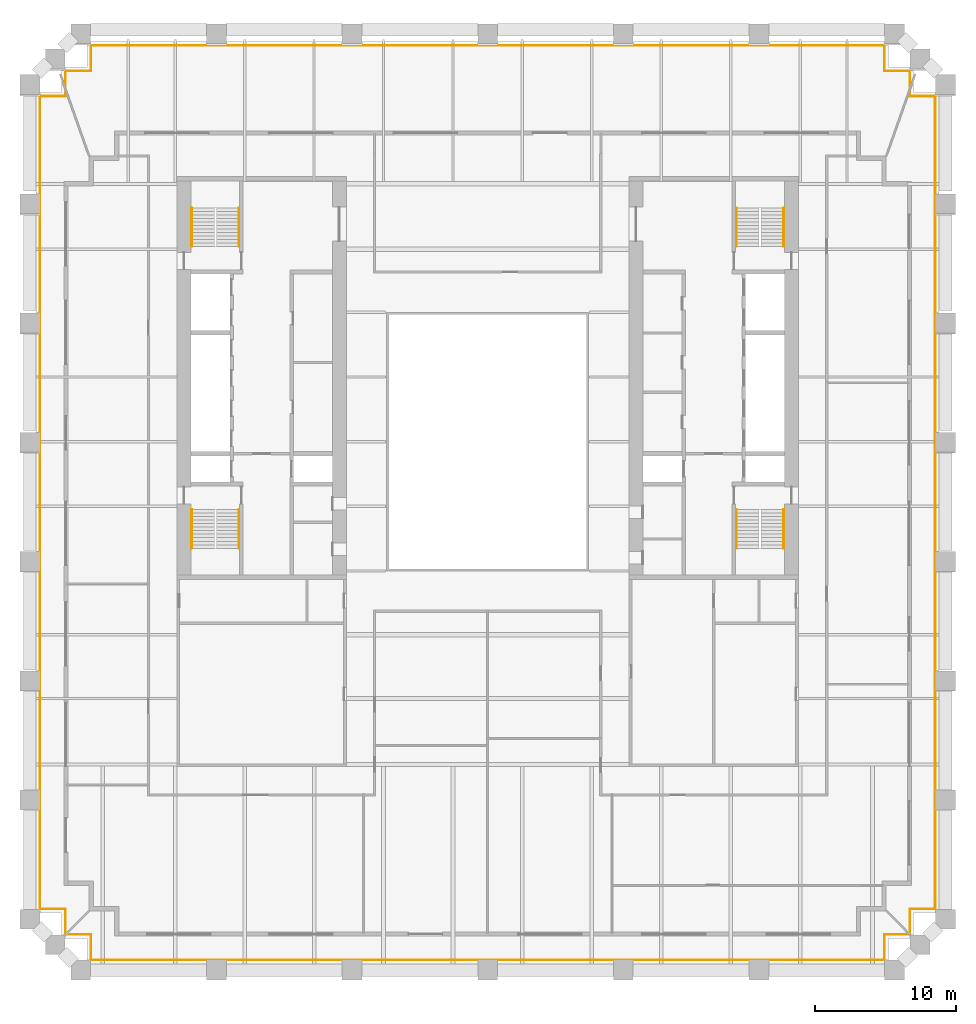
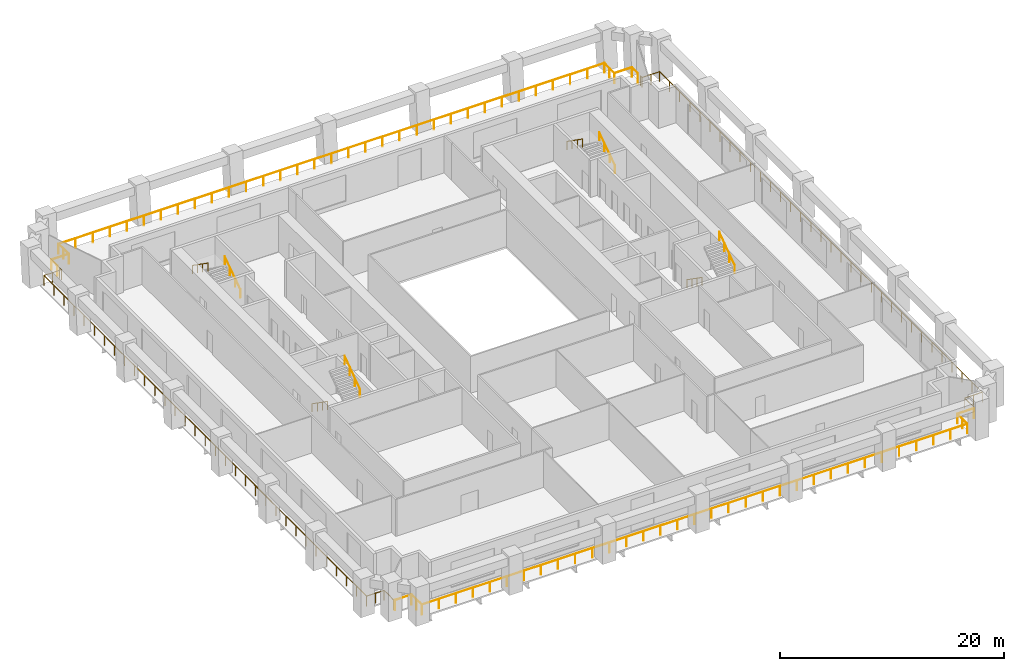
# One storey, part 8 of 8: 12 railings.
"""IFC4 building model written with IfcOpenShell, lengths in metres."""

import ifcopenshell
import ifcopenshell.guid

model = None  # the IFC model being written
_history = None  # IfcOwnerHistory: only IFC2X3 demands one
_inside = {}  # id of a spatial element -> (the spatial element, [elements in it])
_under = {}  # id of a project, library or spatial element -> (it, [spatial elements below it])
_declared = {}  # id of a project -> (the project, [libraries it declares])
_typed = {}  # id of a type object -> (the type object, [elements of that type])
_made_of = {}  # id of a material, layer set ... -> (it, [elements and type objects made of it])


def new_model(schema):
    """Start an empty IFC model of exactly this schema.

    Asked for "IFC4X3", IfcOpenShell would pick the latest addendum, in which some entities
    have other attributes; the version numbers below select the first issue.
    IFC2X3 requires an IfcOwnerHistory on every rooted entity: one is made here for all.
    """
    global model, _history
    if schema == "IFC4X3":
        model = ifcopenshell.file(schema_version=(4, 3, 0, 0))
    else:
        model = ifcopenshell.file(schema=schema)
    _inside.clear()
    _under.clear()
    _declared.clear()
    _typed.clear()
    _made_of.clear()
    _history = None
    if model.schema == "IFC2X3":
        org = make("IfcOrganization", Name="unknown")
        user = make(
            "IfcPersonAndOrganization",
            ThePerson=make("IfcPerson", FamilyName="unknown"),
            TheOrganization=org,
        )
        app = make(
            "IfcApplication",
            ApplicationDeveloper=org,
            Version="unknown",
            ApplicationFullName="unknown",
            ApplicationIdentifier="unknown",
        )
        _history = make(
            "IfcOwnerHistory",
            OwningUser=user,
            OwningApplication=app,
            ChangeAction="ADDED",
            CreationDate=0,
        )
    return model


def make(cls, **values):
    """One entity of the class cls with the attributes given. An attribute that is None is left unset."""
    return model.create_entity(
        cls, **{name: value for name, value in values.items() if value is not None}
    )


def rooted(cls, **values):
    """An entity with a GlobalId (a new one), such as an element, a storey or a relation."""
    return make(cls, GlobalId=ifcopenshell.guid.new(), OwnerHistory=_history, **values)


def si_unit(unit_type, name, prefix=None):
    """IfcSIUnit, for example si_unit("LENGTHUNIT", "METRE", prefix="MILLI")."""
    return make("IfcSIUnit", UnitType=unit_type, Prefix=prefix, Name=name)


def assignment(units):
    """IfcUnitAssignment: the units of a project."""
    return None if units is None else make("IfcUnitAssignment", Units=units)


def point(xyz):
    """IfcCartesianPoint."""
    return None if xyz is None else make("IfcCartesianPoint", Coordinates=xyz)


def direction(xyz):
    """IfcDirection."""
    return None if xyz is None else make("IfcDirection", DirectionRatios=xyz)


def frame(location, z_axis=None, x_axis=None):
    """IfcAxis2Placement3D, a coordinate frame: its origin and axes. An axis left out is left unset."""
    return make(
        "IfcAxis2Placement3D",
        Location=point(location),
        Axis=direction(z_axis),
        RefDirection=direction(x_axis),
    )


def frame_2d(location, x_axis=None):
    """IfcAxis2Placement2D, a coordinate frame in the plane: its origin and x axis."""
    return make(
        "IfcAxis2Placement2D", Location=point(location), RefDirection=direction(x_axis)
    )


def origin():
    """The frame at (0, 0, 0) with its axes left unset."""
    return frame((0.0, 0.0, 0.0))


def origin_2d():
    """The frame at (0, 0) in the plane with its x axis left unset."""
    return frame_2d((0.0, 0.0))


def place(relative_to, where):
    """IfcLocalPlacement: puts the frame where relative to a parent placement (None: the world)."""
    return make(
        "IfcLocalPlacement", PlacementRelTo=relative_to, RelativePlacement=where
    )


def context(
    kind, dimensions, precision=None, world=None, true_north=None, identifier=None
):
    """IfcGeometricRepresentationContext, for example the 3D "Model" context."""
    return make(
        "IfcGeometricRepresentationContext",
        ContextIdentifier=identifier,
        ContextType=kind,
        CoordinateSpaceDimension=dimensions,
        Precision=precision,
        WorldCoordinateSystem=world,
        TrueNorth=true_north,
    )


def subcontext(parent, identifier, kind, view, scale=None):
    """IfcGeometricRepresentationSubContext, for example "Body" below "Model"."""
    return make(
        "IfcGeometricRepresentationSubContext",
        ContextIdentifier=identifier,
        ContextType=kind,
        ParentContext=parent,
        TargetScale=scale,
        TargetView=view,
    )


def project(units=None, contexts=None):
    """IfcProject with its units and contexts."""
    return rooted(
        "IfcProject",
        Name="project",
        RepresentationContexts=contexts,
        UnitsInContext=assignment(units),
    )


def spatial(cls, under=None, at=None, **own):
    """A site, building, storey or space (cls), placed at a placement, below another one or the project."""
    s = rooted(cls, ObjectPlacement=at, **own)
    if under is not None:
        _under.setdefault(under.id(), (under, []))[1].append(s)
    return s


def profile(cls, at=None, kind="AREA", **sizes):
    """A parametric profile (cls). Its sizes go by their IFC names, for example OverallWidth=200.0."""
    return make(cls, ProfileType=kind, Position=at, **sizes)


def circle(**sizes):
    """IfcCircleProfileDef."""
    return profile("IfcCircleProfileDef", **sizes)


def extrude(swept, where, along, depth):
    """IfcExtrudedAreaSolid: the profile swept, set in the frame where, extruded along a direction by depth."""
    return make(
        "IfcExtrudedAreaSolid",
        SweptArea=swept,
        Position=where,
        ExtrudedDirection=direction(along),
        Depth=depth,
    )


def shape(context_of_items, identifier, shape_type, items):
    """IfcShapeRepresentation: the items that make up one representation, for example the "Body"."""
    return make(
        "IfcShapeRepresentation",
        ContextOfItems=context_of_items,
        RepresentationIdentifier=identifier,
        RepresentationType=shape_type,
        Items=items,
    )


def material(Name=None, Category=None):
    """IfcMaterial."""
    return make("IfcMaterial", Name=Name, Category=Category)


def made_of(thing, what):
    """Note that an element or type object is made of a material, layer set ...; save() writes the relation."""
    if what is not None:
        _made_of.setdefault(what.id(), (what, []))[1].append(thing)
    return thing


def type_object(cls, material=None, **own):
    """A type object (cls), such as IfcWallType, which elements share."""
    return made_of(rooted(cls, **own), material)


def element(
    cls,
    number,
    at=None,
    inside=None,
    cuts=None,
    type_object=None,
    material=None,
    context=None,
    identifier="Body",
    shape_type=None,
    held_by="IfcProductDefinitionShape",
    body=None,
    shapes=None,
    **own,
):
    """One element of the class cls, such as IfcWall. Its Tag is "e" and its number.

    at: its placement. inside: the storey or other place that contains it. cuts: it is an
    opening in that element (IfcRelVoidsElement). A single representation is given by context,
    identifier, shape_type and body (its items); several are given by shapes. held_by: the class
    of the entity that holds the representations. save() writes the other relations.
    """
    e = rooted(cls, Tag="e%d" % number, ObjectPlacement=at, **own)
    if body is not None:
        shapes = [shape(context, identifier, shape_type, body)]
    if shapes is not None:
        e.Representation = make(held_by, Representations=shapes)
    if inside is not None:
        _inside.setdefault(inside.id(), (inside, []))[1].append(e)
    if cuts is not None:
        rooted(
            "IfcRelVoidsElement", RelatingBuildingElement=cuts, RelatedOpeningElement=e
        )
    if type_object is not None:
        _typed.setdefault(type_object.id(), (type_object, []))[1].append(e)
    return made_of(e, material)


def aggregate(whole, parts):
    """IfcRelAggregates: a whole, such as a stair, and the parts it consists of."""
    return rooted("IfcRelAggregates", RelatingObject=whole, RelatedObjects=parts)


def save(model, path):
    """Write the relations noted so far, then the file.

    IfcRelAggregates (storeys below a building ...), IfcRelContainedInSpatialStructure (elements
    in a storey), IfcRelDefinesByType, IfcRelAssociatesMaterial and IfcRelDeclares: one each for
    every whole, place, type object, material and project.
    """
    for whole, parts in _under.values():
        aggregate(whole, parts)
    for where, things in _inside.values():
        rooted(
            "IfcRelContainedInSpatialStructure",
            RelatedElements=things,
            RelatingStructure=where,
        )
    for kind, things in _typed.values():
        rooted("IfcRelDefinesByType", RelatedObjects=things, RelatingType=kind)
    for what, things in _made_of.values():
        rooted("IfcRelAssociatesMaterial", RelatedObjects=things, RelatingMaterial=what)
    for by, libraries in _declared.values():
        rooted("IfcRelDeclares", RelatingContext=by, RelatedDefinitions=libraries)
    model.write(path)


model = new_model("IFC4")

# Units and contexts
model_context = context("Model", 3, precision=1e-05, world=origin(), true_north=direction((0.0, 1.0)))
body_context = subcontext(model_context, "Body", "Model", "MODEL_VIEW")
ifc_project = project(units=[si_unit("LENGTHUNIT", "METRE"), si_unit("AREAUNIT", "SQUARE_METRE"), si_unit("VOLUMEUNIT", "CUBIC_METRE"), si_unit("PLANEANGLEUNIT", "RADIAN"), si_unit("MASSUNIT", "GRAM", prefix="KILO")], contexts=[model_context])

# Site, building, storey
site_placement = place(None, origin())
site = spatial("IfcSite", under=ifc_project, at=site_placement, CompositionType="ELEMENT")
building_placement = place(site_placement, origin())
building = spatial("IfcBuilding", under=site, at=building_placement, Name="Ogive Exchange Tower", CompositionType="ELEMENT")
storey_placement = place(building_placement, frame((0.0, 0.0, 81.60009765625)))
storey = spatial("IfcBuildingStorey", under=building, at=storey_placement, Name="L17", CompositionType="ELEMENT", Elevation=81.60009765625)

# Railings
ifc_material_1 = material(Name="Stainless steel 316", Category="steel")
railing_type_1 = type_object("IfcRailingType", Name="Guard 1100 stainless steel and glass", PredefinedType="GUARDRAIL", material=ifc_material_1)
railing_1_placement = place(storey_placement, frame((29.7880859375, -27.8798828125, -0.050048828125)))
element("IfcRailing", 1, at=railing_1_placement, inside=storey, type_object=railing_type_1, Name="Loggia guard 1", PredefinedType="GUARDRAIL", context=body_context, shape_type="SweptSolid", body=[
    extrude(circle(Radius=0.02392578125, at=origin_2d()), frame((0.0, 0.0, 1.076171875), z_axis=(-1.0, 0.0, 0.0), x_axis=(0.0, -1.0, 0.0)), (0.0, 0.0, 1.0), 1.7080078125),
    extrude(circle(Radius=0.02392578125, at=origin_2d()), frame((-1.7080078125, 0.0, 1.076171875), z_axis=(0.0, -1.0, 0.0), x_axis=(1.0, 0.0, 0.0)), (0.0, 0.0, 1.0), 1.800048828125),
    extrude(circle(Radius=0.02392578125, at=origin_2d()), frame((-1.7080078125, -1.800048828125, 1.076171875), z_axis=(-1.0, 0.0, 0.0), x_axis=(0.0, -1.0, 0.0)), (0.0, 0.0, 1.0), 56.16015625),
    extrude(circle(Radius=0.02392578125, at=origin_2d()), frame((-57.8681640625, -1.800048828125, 1.076171875), z_axis=(0.0, 1.0, 0.0), x_axis=(-1.0, 0.0, 0.0)), (0.0, 0.0, 1.0), 1.800048828125),
    extrude(circle(Radius=0.02392578125, at=origin_2d()), frame((-57.8681640625, 0.0, 1.076171875), z_axis=(-1.0, 0.0, 0.0), x_axis=(0.0, -1.0, 0.0)), (0.0, 0.0, 1.0), 1.7080078125),
    extrude(circle(Radius=0.02099609375, at=origin_2d()), origin(), (0.0, 0.0, 1.0), 1.052001953125),
    extrude(circle(Radius=0.02099609375, at=origin_2d()), frame((-1.7080078125, 0.0, 0.0)), (0.0, 0.0, 1.0), 1.052001953125),
    extrude(circle(Radius=0.02099609375, at=origin_2d()), frame((-1.7080078125, -0.89990234375, 0.0)), (0.0, 0.0, 1.0), 1.052001953125),
    extrude(circle(Radius=0.02099609375, at=origin_2d()), frame((-1.7080078125, -1.800048828125, 0.0)), (0.0, 0.0, 1.0), 1.052001953125),
    extrude(circle(Radius=0.02099609375, at=origin_2d()), frame((-3.462890625, -1.800048828125, 0.0)), (0.0, 0.0, 1.0), 1.052001953125),
    extrude(circle(Radius=0.02099609375, at=origin_2d()), frame((-5.218017578125, -1.800048828125, 0.0)), (0.0, 0.0, 1.0), 1.052001953125),
    extrude(circle(Radius=0.02099609375, at=origin_2d()), frame((-6.97314453125, -1.800048828125, 0.0)), (0.0, 0.0, 1.0), 1.052001953125),
    extrude(circle(Radius=0.02099609375, at=origin_2d()), frame((-8.72802734375, -1.800048828125, 0.0)), (0.0, 0.0, 1.0), 1.052001953125),
    extrude(circle(Radius=0.02099609375, at=origin_2d()), frame((-10.48291015625, -1.800048828125, 0.0)), (0.0, 0.0, 1.0), 1.052001953125),
    extrude(circle(Radius=0.02099609375, at=origin_2d()), frame((-12.238037109375, -1.800048828125, 0.0)), (0.0, 0.0, 1.0), 1.052001953125),
    extrude(circle(Radius=0.02099609375, at=origin_2d()), frame((-13.9931640625, -1.800048828125, 0.0)), (0.0, 0.0, 1.0), 1.052001953125),
    extrude(circle(Radius=0.02099609375, at=origin_2d()), frame((-15.748046875, -1.800048828125, 0.0)), (0.0, 0.0, 1.0), 1.052001953125),
    extrude(circle(Radius=0.02099609375, at=origin_2d()), frame((-17.5029296875, -1.800048828125, 0.0)), (0.0, 0.0, 1.0), 1.052001953125),
    extrude(circle(Radius=0.02099609375, at=origin_2d()), frame((-19.258056640625, -1.800048828125, 0.0)), (0.0, 0.0, 1.0), 1.052001953125),
    extrude(circle(Radius=0.02099609375, at=origin_2d()), frame((-21.01318359375, -1.800048828125, 0.0)), (0.0, 0.0, 1.0), 1.052001953125),
    extrude(circle(Radius=0.02099609375, at=origin_2d()), frame((-22.76806640625, -1.800048828125, 0.0)), (0.0, 0.0, 1.0), 1.052001953125),
    extrude(circle(Radius=0.02099609375, at=origin_2d()), frame((-24.52294921875, -1.800048828125, 0.0)), (0.0, 0.0, 1.0), 1.052001953125),
    extrude(circle(Radius=0.02099609375, at=origin_2d()), frame((-26.278076171875, -1.800048828125, 0.0)), (0.0, 0.0, 1.0), 1.052001953125),
    extrude(circle(Radius=0.02099609375, at=origin_2d()), frame((-28.033203125, -1.800048828125, 0.0)), (0.0, 0.0, 1.0), 1.052001953125),
    extrude(circle(Radius=0.02099609375, at=origin_2d()), frame((-29.7880859375, -1.800048828125, 0.0)), (0.0, 0.0, 1.0), 1.052001953125),
    extrude(circle(Radius=0.02099609375, at=origin_2d()), frame((-31.54296875, -1.800048828125, 0.0)), (0.0, 0.0, 1.0), 1.052001953125),
    extrude(circle(Radius=0.02099609375, at=origin_2d()), frame((-33.298095703125, -1.800048828125, 0.0)), (0.0, 0.0, 1.0), 1.052001953125),
    extrude(circle(Radius=0.02099609375, at=origin_2d()), frame((-35.05322265625, -1.800048828125, 0.0)), (0.0, 0.0, 1.0), 1.052001953125),
    extrude(circle(Radius=0.02099609375, at=origin_2d()), frame((-36.80810546875, -1.800048828125, 0.0)), (0.0, 0.0, 1.0), 1.052001953125),
    extrude(circle(Radius=0.02099609375, at=origin_2d()), frame((-38.56298828125, -1.800048828125, 0.0)), (0.0, 0.0, 1.0), 1.052001953125),
    extrude(circle(Radius=0.02099609375, at=origin_2d()), frame((-40.318115234375, -1.800048828125, 0.0)), (0.0, 0.0, 1.0), 1.052001953125),
    extrude(circle(Radius=0.02099609375, at=origin_2d()), frame((-42.0732421875, -1.800048828125, 0.0)), (0.0, 0.0, 1.0), 1.052001953125),
    extrude(circle(Radius=0.02099609375, at=origin_2d()), frame((-43.828125, -1.800048828125, 0.0)), (0.0, 0.0, 1.0), 1.052001953125),
    extrude(circle(Radius=0.02099609375, at=origin_2d()), frame((-45.5830078125, -1.800048828125, 0.0)), (0.0, 0.0, 1.0), 1.052001953125),
    extrude(circle(Radius=0.02099609375, at=origin_2d()), frame((-47.338134765625, -1.800048828125, 0.0)), (0.0, 0.0, 1.0), 1.052001953125),
    extrude(circle(Radius=0.02099609375, at=origin_2d()), frame((-49.09326171875, -1.800048828125, 0.0)), (0.0, 0.0, 1.0), 1.052001953125),
    extrude(circle(Radius=0.02099609375, at=origin_2d()), frame((-50.84814453125, -1.800048828125, 0.0)), (0.0, 0.0, 1.0), 1.052001953125),
    extrude(circle(Radius=0.02099609375, at=origin_2d()), frame((-52.60302734375, -1.800048828125, 0.0)), (0.0, 0.0, 1.0), 1.052001953125),
    extrude(circle(Radius=0.02099609375, at=origin_2d()), frame((-54.358154296875, -1.800048828125, 0.0)), (0.0, 0.0, 1.0), 1.052001953125),
    extrude(circle(Radius=0.02099609375, at=origin_2d()), frame((-56.11328125, -1.800048828125, 0.0)), (0.0, 0.0, 1.0), 1.052001953125),
    extrude(circle(Radius=0.02099609375, at=origin_2d()), frame((-57.8681640625, -1.800048828125, 0.0)), (0.0, 0.0, 1.0), 1.052001953125),
    extrude(circle(Radius=0.02099609375, at=origin_2d()), frame((-57.8681640625, -0.89990234375, 0.0)), (0.0, 0.0, 1.0), 1.052001953125),
    extrude(circle(Radius=0.02099609375, at=origin_2d()), frame((-57.8681640625, 0.0, 0.0)), (0.0, 0.0, 1.0), 1.052001953125),
    extrude(circle(Radius=0.02099609375, at=origin_2d()), frame((-59.576171875, 0.0, 0.0)), (0.0, 0.0, 1.0), 1.052001953125),
])
railing_2_placement = place(storey_placement, frame((-29.8798828125, -27.7880859375, -0.050048828125)))
element("IfcRailing", 2, at=railing_2_placement, inside=storey, type_object=railing_type_1, Name="Loggia guard 2", PredefinedType="GUARDRAIL", context=body_context, shape_type="SweptSolid", body=[
    extrude(circle(Radius=0.02392578125, at=origin_2d()), frame((0.0, 0.0, 1.076171875), z_axis=(0.0, 1.0, 0.0), x_axis=(-1.0, 0.0, 0.0)), (0.0, 0.0, 1.0), 1.7080078125),
    extrude(circle(Radius=0.02392578125, at=origin_2d()), frame((0.0, 1.7080078125, 1.076171875), z_axis=(-1.0, 0.0, 0.0), x_axis=(0.0, -1.0, 0.0)), (0.0, 0.0, 1.0), 1.800048828125),
    extrude(circle(Radius=0.02392578125, at=origin_2d()), frame((-1.800048828125, 1.7080078125, 1.076171875), z_axis=(0.0, 1.0, 0.0), x_axis=(-1.0, 0.0, 0.0)), (0.0, 0.0, 1.0), 57.523681640625),
    extrude(circle(Radius=0.02392578125, at=origin_2d()), frame((-1.800048828125, 59.231689453125, 1.076171875), z_axis=(1.0, 0.0, 0.0), x_axis=(0.0, 1.0, 0.0)), (0.0, 0.0, 1.0), 1.800048828125),
    extrude(circle(Radius=0.02392578125, at=origin_2d()), frame((0.0, 59.231689453125, 1.076171875), z_axis=(0.0, 1.0, 0.0), x_axis=(-1.0, 0.0, 0.0)), (0.0, 0.0, 1.0), 0.296630859375),
    extrude(circle(Radius=0.02099609375, at=origin_2d()), origin(), (0.0, 0.0, 1.0), 1.052001953125),
    extrude(circle(Radius=0.02099609375, at=origin_2d()), frame((0.0, 1.7080078125, 0.0)), (0.0, 0.0, 1.0), 1.052001953125),
    extrude(circle(Radius=0.02099609375, at=origin_2d()), frame((-0.89990234375, 1.7080078125, 0.0)), (0.0, 0.0, 1.0), 1.052001953125),
    extrude(circle(Radius=0.02099609375, at=origin_2d()), frame((-1.800048828125, 1.7080078125, 0.0)), (0.0, 0.0, 1.0), 1.052001953125),
    extrude(circle(Radius=0.02099609375, at=origin_2d()), frame((-1.800048828125, 3.505615234375, 0.0)), (0.0, 0.0, 1.0), 1.052001953125),
    extrude(circle(Radius=0.02099609375, at=origin_2d()), frame((-1.800048828125, 5.30322265625, 0.0)), (0.0, 0.0, 1.0), 1.052001953125),
    extrude(circle(Radius=0.02099609375, at=origin_2d()), frame((-1.800048828125, 7.100830078125, 0.0)), (0.0, 0.0, 1.0), 1.052001953125),
    extrude(circle(Radius=0.02099609375, at=origin_2d()), frame((-1.800048828125, 8.8984375, 0.0)), (0.0, 0.0, 1.0), 1.052001953125),
    extrude(circle(Radius=0.02099609375, at=origin_2d()), frame((-1.800048828125, 10.696044921875, 0.0)), (0.0, 0.0, 1.0), 1.052001953125),
    extrude(circle(Radius=0.02099609375, at=origin_2d()), frame((-1.800048828125, 12.49365234375, 0.0)), (0.0, 0.0, 1.0), 1.052001953125),
    extrude(circle(Radius=0.02099609375, at=origin_2d()), frame((-1.800048828125, 14.291259765625, 0.0)), (0.0, 0.0, 1.0), 1.052001953125),
    extrude(circle(Radius=0.02099609375, at=origin_2d()), frame((-1.800048828125, 16.0888671875, 0.0)), (0.0, 0.0, 1.0), 1.052001953125),
    extrude(circle(Radius=0.02099609375, at=origin_2d()), frame((-1.800048828125, 17.886474609375, 0.0)), (0.0, 0.0, 1.0), 1.052001953125),
    extrude(circle(Radius=0.02099609375, at=origin_2d()), frame((-1.800048828125, 19.68408203125, 0.0)), (0.0, 0.0, 1.0), 1.052001953125),
    extrude(circle(Radius=0.02099609375, at=origin_2d()), frame((-1.800048828125, 21.481689453125, 0.0)), (0.0, 0.0, 1.0), 1.052001953125),
    extrude(circle(Radius=0.02099609375, at=origin_2d()), frame((-1.800048828125, 23.279296875, 0.0)), (0.0, 0.0, 1.0), 1.052001953125),
    extrude(circle(Radius=0.02099609375, at=origin_2d()), frame((-1.800048828125, 25.076904296875, 0.0)), (0.0, 0.0, 1.0), 1.052001953125),
    extrude(circle(Radius=0.02099609375, at=origin_2d()), frame((-1.800048828125, 26.87451171875, 0.0)), (0.0, 0.0, 1.0), 1.052001953125),
    extrude(circle(Radius=0.02099609375, at=origin_2d()), frame((-1.800048828125, 28.672119140625, 0.0)), (0.0, 0.0, 1.0), 1.052001953125),
    extrude(circle(Radius=0.02099609375, at=origin_2d()), frame((-1.800048828125, 30.4697265625, 0.0)), (0.0, 0.0, 1.0), 1.052001953125),
    extrude(circle(Radius=0.02099609375, at=origin_2d()), frame((-1.800048828125, 32.267578125, 0.0)), (0.0, 0.0, 1.0), 1.052001953125),
    extrude(circle(Radius=0.02099609375, at=origin_2d()), frame((-1.800048828125, 34.065185546875, 0.0)), (0.0, 0.0, 1.0), 1.052001953125),
    extrude(circle(Radius=0.02099609375, at=origin_2d()), frame((-1.800048828125, 35.86279296875, 0.0)), (0.0, 0.0, 1.0), 1.052001953125),
    extrude(circle(Radius=0.02099609375, at=origin_2d()), frame((-1.800048828125, 37.660400390625, 0.0)), (0.0, 0.0, 1.0), 1.052001953125),
    extrude(circle(Radius=0.02099609375, at=origin_2d()), frame((-1.800048828125, 39.4580078125, 0.0)), (0.0, 0.0, 1.0), 1.052001953125),
    extrude(circle(Radius=0.02099609375, at=origin_2d()), frame((-1.800048828125, 41.255615234375, 0.0)), (0.0, 0.0, 1.0), 1.052001953125),
    extrude(circle(Radius=0.02099609375, at=origin_2d()), frame((-1.800048828125, 43.05322265625, 0.0)), (0.0, 0.0, 1.0), 1.052001953125),
    extrude(circle(Radius=0.02099609375, at=origin_2d()), frame((-1.800048828125, 44.850830078125, 0.0)), (0.0, 0.0, 1.0), 1.052001953125),
    extrude(circle(Radius=0.02099609375, at=origin_2d()), frame((-1.800048828125, 46.6484375, 0.0)), (0.0, 0.0, 1.0), 1.052001953125),
    extrude(circle(Radius=0.02099609375, at=origin_2d()), frame((-1.800048828125, 48.446044921875, 0.0)), (0.0, 0.0, 1.0), 1.052001953125),
    extrude(circle(Radius=0.02099609375, at=origin_2d()), frame((-1.800048828125, 50.24365234375, 0.0)), (0.0, 0.0, 1.0), 1.052001953125),
    extrude(circle(Radius=0.02099609375, at=origin_2d()), frame((-1.800048828125, 52.041259765625, 0.0)), (0.0, 0.0, 1.0), 1.052001953125),
    extrude(circle(Radius=0.02099609375, at=origin_2d()), frame((-1.800048828125, 53.8388671875, 0.0)), (0.0, 0.0, 1.0), 1.052001953125),
    extrude(circle(Radius=0.02099609375, at=origin_2d()), frame((-1.800048828125, 55.636474609375, 0.0)), (0.0, 0.0, 1.0), 1.052001953125),
    extrude(circle(Radius=0.02099609375, at=origin_2d()), frame((-1.800048828125, 57.43408203125, 0.0)), (0.0, 0.0, 1.0), 1.052001953125),
    extrude(circle(Radius=0.02099609375, at=origin_2d()), frame((-1.800048828125, 59.231689453125, 0.0)), (0.0, 0.0, 1.0), 1.052001953125),
    extrude(circle(Radius=0.02099609375, at=origin_2d()), frame((-0.89990234375, 59.231689453125, 0.0)), (0.0, 0.0, 1.0), 1.052001953125),
    extrude(circle(Radius=0.02099609375, at=origin_2d()), frame((0.0, 59.231689453125, 0.0)), (0.0, 0.0, 1.0), 1.052001953125),
    extrude(circle(Radius=0.02099609375, at=origin_2d()), frame((0.0, 59.5283203125, 0.0)), (0.0, 0.0, 1.0), 1.052001953125),
])
railing_3_placement = place(storey_placement, frame((-29.8798828125, 32.12890625, -0.050048828125)))
element("IfcRailing", 3, at=railing_3_placement, inside=storey, type_object=railing_type_1, Name="Loggia guard 3", PredefinedType="GUARDRAIL", context=body_context, shape_type="SweptSolid", body=[
    extrude(circle(Radius=0.02392578125, at=origin_2d()), frame((0.0, 0.0, 1.076171875), z_axis=(0.0, 1.0, 0.0), x_axis=(-1.0, 0.0, 0.0)), (0.0, 0.0, 1.0), 1.11474609375),
    extrude(circle(Radius=0.02392578125, at=origin_2d()), frame((0.0, 1.11474609375, 1.076171875), z_axis=(1.0, 0.0, 0.0), x_axis=(0.0, 1.0, 0.0)), (0.0, 0.0, 1.0), 1.7998046875),
    extrude(circle(Radius=0.02392578125, at=origin_2d()), frame((1.7998046875, 1.11474609375, 1.076171875), z_axis=(0.0, 1.0, 0.0), x_axis=(-1.0, 0.0, 0.0)), (0.0, 0.0, 1.0), 1.800048828125),
    extrude(circle(Radius=0.02392578125, at=origin_2d()), frame((1.7998046875, 2.914794921875, 1.076171875), z_axis=(1.0, 0.0, 0.0), x_axis=(0.0, 1.0, 0.0)), (0.0, 0.0, 1.0), 56.16015625),
    extrude(circle(Radius=0.02392578125, at=origin_2d()), frame((57.9599609375, 2.914794921875, 1.076171875), z_axis=(0.0, -1.0, 0.0), x_axis=(1.0, 0.0, 0.0)), (0.0, 0.0, 1.0), 1.800048828125),
    extrude(circle(Radius=0.02392578125, at=origin_2d()), frame((57.9599609375, 1.11474609375, 1.076171875), z_axis=(1.0, 0.0, 0.0), x_axis=(0.0, 1.0, 0.0)), (0.0, 0.0, 1.0), 1.7998046875),
    extrude(circle(Radius=0.02392578125, at=origin_2d()), frame((59.759765625, 1.11474609375, 1.076171875), z_axis=(0.0, -1.0, 0.0), x_axis=(1.0, 0.0, 0.0)), (0.0, 0.0, 1.0), 1.11474609375),
    extrude(circle(Radius=0.02099609375, at=origin_2d()), origin(), (0.0, 0.0, 1.0), 1.052001953125),
    extrude(circle(Radius=0.02099609375, at=origin_2d()), frame((0.0, 1.11474609375, 0.0)), (0.0, 0.0, 1.0), 1.052001953125),
    extrude(circle(Radius=0.02099609375, at=origin_2d()), frame((1.7998046875, 1.11474609375, 0.0)), (0.0, 0.0, 1.0), 1.052001953125),
    extrude(circle(Radius=0.02099609375, at=origin_2d()), frame((1.7998046875, 2.0146484375, 0.0)), (0.0, 0.0, 1.0), 1.052001953125),
    extrude(circle(Radius=0.02099609375, at=origin_2d()), frame((1.7998046875, 2.914794921875, 0.0)), (0.0, 0.0, 1.0), 1.052001953125),
    extrude(circle(Radius=0.02099609375, at=origin_2d()), frame((3.5546875, 2.914794921875, 0.0)), (0.0, 0.0, 1.0), 1.052001953125),
    extrude(circle(Radius=0.02099609375, at=origin_2d()), frame((5.309814453125, 2.914794921875, 0.0)), (0.0, 0.0, 1.0), 1.052001953125),
    extrude(circle(Radius=0.02099609375, at=origin_2d()), frame((7.06494140625, 2.914794921875, 0.0)), (0.0, 0.0, 1.0), 1.052001953125),
    extrude(circle(Radius=0.02099609375, at=origin_2d()), frame((8.81982421875, 2.914794921875, 0.0)), (0.0, 0.0, 1.0), 1.052001953125),
    extrude(circle(Radius=0.02099609375, at=origin_2d()), frame((10.57470703125, 2.914794921875, 0.0)), (0.0, 0.0, 1.0), 1.052001953125),
    extrude(circle(Radius=0.02099609375, at=origin_2d()), frame((12.329833984375, 2.914794921875, 0.0)), (0.0, 0.0, 1.0), 1.052001953125),
    extrude(circle(Radius=0.02099609375, at=origin_2d()), frame((14.0849609375, 2.914794921875, 0.0)), (0.0, 0.0, 1.0), 1.052001953125),
    extrude(circle(Radius=0.02099609375, at=origin_2d()), frame((15.83984375, 2.914794921875, 0.0)), (0.0, 0.0, 1.0), 1.052001953125),
    extrude(circle(Radius=0.02099609375, at=origin_2d()), frame((17.5947265625, 2.914794921875, 0.0)), (0.0, 0.0, 1.0), 1.052001953125),
    extrude(circle(Radius=0.02099609375, at=origin_2d()), frame((19.349853515625, 2.914794921875, 0.0)), (0.0, 0.0, 1.0), 1.052001953125),
    extrude(circle(Radius=0.02099609375, at=origin_2d()), frame((21.10498046875, 2.914794921875, 0.0)), (0.0, 0.0, 1.0), 1.052001953125),
    extrude(circle(Radius=0.02099609375, at=origin_2d()), frame((22.85986328125, 2.914794921875, 0.0)), (0.0, 0.0, 1.0), 1.052001953125),
    extrude(circle(Radius=0.02099609375, at=origin_2d()), frame((24.61474609375, 2.914794921875, 0.0)), (0.0, 0.0, 1.0), 1.052001953125),
    extrude(circle(Radius=0.02099609375, at=origin_2d()), frame((26.369873046875, 2.914794921875, 0.0)), (0.0, 0.0, 1.0), 1.052001953125),
    extrude(circle(Radius=0.02099609375, at=origin_2d()), frame((28.125, 2.914794921875, 0.0)), (0.0, 0.0, 1.0), 1.052001953125),
    extrude(circle(Radius=0.02099609375, at=origin_2d()), frame((29.8798828125, 2.914794921875, 0.0)), (0.0, 0.0, 1.0), 1.052001953125),
    extrude(circle(Radius=0.02099609375, at=origin_2d()), frame((31.634765625, 2.914794921875, 0.0)), (0.0, 0.0, 1.0), 1.052001953125),
    extrude(circle(Radius=0.02099609375, at=origin_2d()), frame((33.389892578125, 2.914794921875, 0.0)), (0.0, 0.0, 1.0), 1.052001953125),
    extrude(circle(Radius=0.02099609375, at=origin_2d()), frame((35.14501953125, 2.914794921875, 0.0)), (0.0, 0.0, 1.0), 1.052001953125),
    extrude(circle(Radius=0.02099609375, at=origin_2d()), frame((36.89990234375, 2.914794921875, 0.0)), (0.0, 0.0, 1.0), 1.052001953125),
    extrude(circle(Radius=0.02099609375, at=origin_2d()), frame((38.65478515625, 2.914794921875, 0.0)), (0.0, 0.0, 1.0), 1.052001953125),
    extrude(circle(Radius=0.02099609375, at=origin_2d()), frame((40.409912109375, 2.914794921875, 0.0)), (0.0, 0.0, 1.0), 1.052001953125),
    extrude(circle(Radius=0.02099609375, at=origin_2d()), frame((42.1650390625, 2.914794921875, 0.0)), (0.0, 0.0, 1.0), 1.052001953125),
    extrude(circle(Radius=0.02099609375, at=origin_2d()), frame((43.919921875, 2.914794921875, 0.0)), (0.0, 0.0, 1.0), 1.052001953125),
    extrude(circle(Radius=0.02099609375, at=origin_2d()), frame((45.6748046875, 2.914794921875, 0.0)), (0.0, 0.0, 1.0), 1.052001953125),
    extrude(circle(Radius=0.02099609375, at=origin_2d()), frame((47.429931640625, 2.914794921875, 0.0)), (0.0, 0.0, 1.0), 1.052001953125),
    extrude(circle(Radius=0.02099609375, at=origin_2d()), frame((49.18505859375, 2.914794921875, 0.0)), (0.0, 0.0, 1.0), 1.052001953125),
    extrude(circle(Radius=0.02099609375, at=origin_2d()), frame((50.93994140625, 2.914794921875, 0.0)), (0.0, 0.0, 1.0), 1.052001953125),
    extrude(circle(Radius=0.02099609375, at=origin_2d()), frame((52.69482421875, 2.914794921875, 0.0)), (0.0, 0.0, 1.0), 1.052001953125),
    extrude(circle(Radius=0.02099609375, at=origin_2d()), frame((54.449951171875, 2.914794921875, 0.0)), (0.0, 0.0, 1.0), 1.052001953125),
    extrude(circle(Radius=0.02099609375, at=origin_2d()), frame((56.205078125, 2.914794921875, 0.0)), (0.0, 0.0, 1.0), 1.052001953125),
    extrude(circle(Radius=0.02099609375, at=origin_2d()), frame((57.9599609375, 2.914794921875, 0.0)), (0.0, 0.0, 1.0), 1.052001953125),
    extrude(circle(Radius=0.02099609375, at=origin_2d()), frame((57.9599609375, 2.0146484375, 0.0)), (0.0, 0.0, 1.0), 1.052001953125),
    extrude(circle(Radius=0.02099609375, at=origin_2d()), frame((57.9599609375, 1.11474609375, 0.0)), (0.0, 0.0, 1.0), 1.052001953125),
    extrude(circle(Radius=0.02099609375, at=origin_2d()), frame((59.759765625, 1.11474609375, 0.0)), (0.0, 0.0, 1.0), 1.052001953125),
    extrude(circle(Radius=0.02099609375, at=origin_2d()), frame((59.759765625, 0.0, 0.0)), (0.0, 0.0, 1.0), 1.052001953125),
])
railing_4_placement = place(storey_placement, frame((29.8798828125, 31.740234375, -0.050048828125)))
element("IfcRailing", 4, at=railing_4_placement, inside=storey, type_object=railing_type_1, Name="Loggia guard 4", PredefinedType="GUARDRAIL", context=body_context, shape_type="SweptSolid", body=[
    extrude(circle(Radius=0.02392578125, at=origin_2d()), frame((0.0, 0.0, 1.076171875), z_axis=(0.0, -1.0, 0.0), x_axis=(1.0, 0.0, 0.0)), (0.0, 0.0, 1.0), 0.296630859375),
    extrude(circle(Radius=0.02392578125, at=origin_2d()), frame((0.0, -0.296630859375, 1.076171875), z_axis=(1.0, 0.0, 0.0), x_axis=(0.0, 1.0, 0.0)), (0.0, 0.0, 1.0), 1.800048828125),
    extrude(circle(Radius=0.02392578125, at=origin_2d()), frame((1.800048828125, -0.296630859375, 1.076171875), z_axis=(0.0, -1.0, 0.0), x_axis=(1.0, 0.0, 0.0)), (0.0, 0.0, 1.0), 57.523681640625),
    extrude(circle(Radius=0.02392578125, at=origin_2d()), frame((1.800048828125, -57.8203125, 1.076171875), z_axis=(-1.0, 0.0, 0.0), x_axis=(0.0, -1.0, 0.0)), (0.0, 0.0, 1.0), 1.800048828125),
    extrude(circle(Radius=0.02392578125, at=origin_2d()), frame((0.0, -57.8203125, 1.076171875), z_axis=(0.0, -1.0, 0.0), x_axis=(1.0, 0.0, 0.0)), (0.0, 0.0, 1.0), 1.7080078125),
    extrude(circle(Radius=0.02099609375, at=origin_2d()), origin(), (0.0, 0.0, 1.0), 1.052001953125),
    extrude(circle(Radius=0.02099609375, at=origin_2d()), frame((0.0, -0.296630859375, 0.0)), (0.0, 0.0, 1.0), 1.052001953125),
    extrude(circle(Radius=0.02099609375, at=origin_2d()), frame((0.89990234375, -0.296630859375, 0.0)), (0.0, 0.0, 1.0), 1.052001953125),
    extrude(circle(Radius=0.02099609375, at=origin_2d()), frame((1.800048828125, -0.296630859375, 0.0)), (0.0, 0.0, 1.0), 1.052001953125),
    extrude(circle(Radius=0.02099609375, at=origin_2d()), frame((1.800048828125, -2.09423828125, 0.0)), (0.0, 0.0, 1.0), 1.052001953125),
    extrude(circle(Radius=0.02099609375, at=origin_2d()), frame((1.800048828125, -3.891845703125, 0.0)), (0.0, 0.0, 1.0), 1.052001953125),
    extrude(circle(Radius=0.02099609375, at=origin_2d()), frame((1.800048828125, -5.689453125, 0.0)), (0.0, 0.0, 1.0), 1.052001953125),
    extrude(circle(Radius=0.02099609375, at=origin_2d()), frame((1.800048828125, -7.487060546875, 0.0)), (0.0, 0.0, 1.0), 1.052001953125),
    extrude(circle(Radius=0.02099609375, at=origin_2d()), frame((1.800048828125, -9.28466796875, 0.0)), (0.0, 0.0, 1.0), 1.052001953125),
    extrude(circle(Radius=0.02099609375, at=origin_2d()), frame((1.800048828125, -11.082275390625, 0.0)), (0.0, 0.0, 1.0), 1.052001953125),
    extrude(circle(Radius=0.02099609375, at=origin_2d()), frame((1.800048828125, -12.8798828125, 0.0)), (0.0, 0.0, 1.0), 1.052001953125),
    extrude(circle(Radius=0.02099609375, at=origin_2d()), frame((1.800048828125, -14.677490234375, 0.0)), (0.0, 0.0, 1.0), 1.052001953125),
    extrude(circle(Radius=0.02099609375, at=origin_2d()), frame((1.800048828125, -16.47509765625, 0.0)), (0.0, 0.0, 1.0), 1.052001953125),
    extrude(circle(Radius=0.02099609375, at=origin_2d()), frame((1.800048828125, -18.272705078125, 0.0)), (0.0, 0.0, 1.0), 1.052001953125),
    extrude(circle(Radius=0.02099609375, at=origin_2d()), frame((1.800048828125, -20.0703125, 0.0)), (0.0, 0.0, 1.0), 1.052001953125),
    extrude(circle(Radius=0.02099609375, at=origin_2d()), frame((1.800048828125, -21.867919921875, 0.0)), (0.0, 0.0, 1.0), 1.052001953125),
    extrude(circle(Radius=0.02099609375, at=origin_2d()), frame((1.800048828125, -23.66552734375, 0.0)), (0.0, 0.0, 1.0), 1.052001953125),
    extrude(circle(Radius=0.02099609375, at=origin_2d()), frame((1.800048828125, -25.463134765625, 0.0)), (0.0, 0.0, 1.0), 1.052001953125),
    extrude(circle(Radius=0.02099609375, at=origin_2d()), frame((1.800048828125, -27.2607421875, 0.0)), (0.0, 0.0, 1.0), 1.052001953125),
    extrude(circle(Radius=0.02099609375, at=origin_2d()), frame((1.800048828125, -29.05859375, 0.0)), (0.0, 0.0, 1.0), 1.052001953125),
    extrude(circle(Radius=0.02099609375, at=origin_2d()), frame((1.800048828125, -30.856201171875, 0.0)), (0.0, 0.0, 1.0), 1.052001953125),
    extrude(circle(Radius=0.02099609375, at=origin_2d()), frame((1.800048828125, -32.65380859375, 0.0)), (0.0, 0.0, 1.0), 1.052001953125),
    extrude(circle(Radius=0.02099609375, at=origin_2d()), frame((1.800048828125, -34.451416015625, 0.0)), (0.0, 0.0, 1.0), 1.052001953125),
    extrude(circle(Radius=0.02099609375, at=origin_2d()), frame((1.800048828125, -36.2490234375, 0.0)), (0.0, 0.0, 1.0), 1.052001953125),
    extrude(circle(Radius=0.02099609375, at=origin_2d()), frame((1.800048828125, -38.046630859375, 0.0)), (0.0, 0.0, 1.0), 1.052001953125),
    extrude(circle(Radius=0.02099609375, at=origin_2d()), frame((1.800048828125, -39.84423828125, 0.0)), (0.0, 0.0, 1.0), 1.052001953125),
    extrude(circle(Radius=0.02099609375, at=origin_2d()), frame((1.800048828125, -41.641845703125, 0.0)), (0.0, 0.0, 1.0), 1.052001953125),
    extrude(circle(Radius=0.02099609375, at=origin_2d()), frame((1.800048828125, -43.439453125, 0.0)), (0.0, 0.0, 1.0), 1.052001953125),
    extrude(circle(Radius=0.02099609375, at=origin_2d()), frame((1.800048828125, -45.237060546875, 0.0)), (0.0, 0.0, 1.0), 1.052001953125),
    extrude(circle(Radius=0.02099609375, at=origin_2d()), frame((1.800048828125, -47.03466796875, 0.0)), (0.0, 0.0, 1.0), 1.052001953125),
    extrude(circle(Radius=0.02099609375, at=origin_2d()), frame((1.800048828125, -48.832275390625, 0.0)), (0.0, 0.0, 1.0), 1.052001953125),
    extrude(circle(Radius=0.02099609375, at=origin_2d()), frame((1.800048828125, -50.6298828125, 0.0)), (0.0, 0.0, 1.0), 1.052001953125),
    extrude(circle(Radius=0.02099609375, at=origin_2d()), frame((1.800048828125, -52.427490234375, 0.0)), (0.0, 0.0, 1.0), 1.052001953125),
    extrude(circle(Radius=0.02099609375, at=origin_2d()), frame((1.800048828125, -54.22509765625, 0.0)), (0.0, 0.0, 1.0), 1.052001953125),
    extrude(circle(Radius=0.02099609375, at=origin_2d()), frame((1.800048828125, -56.022705078125, 0.0)), (0.0, 0.0, 1.0), 1.052001953125),
    extrude(circle(Radius=0.02099609375, at=origin_2d()), frame((1.800048828125, -57.8203125, 0.0)), (0.0, 0.0, 1.0), 1.052001953125),
    extrude(circle(Radius=0.02099609375, at=origin_2d()), frame((0.89990234375, -57.8203125, 0.0)), (0.0, 0.0, 1.0), 1.052001953125),
    extrude(circle(Radius=0.02099609375, at=origin_2d()), frame((0.0, -57.8203125, 0.0)), (0.0, 0.0, 1.0), 1.052001953125),
    extrude(circle(Radius=0.02099609375, at=origin_2d()), frame((0.0, -59.5283203125, 0.0)), (0.0, 0.0, 1.0), 1.052001953125),
])
ifc_material_2 = material(Name="Stainless steel", Category="steel")
railing_type_2 = type_object("IfcRailingType", Name="Stair handrail 900", PredefinedType="HANDRAIL", material=ifc_material_2)
railing_5_placement = place(storey_placement, frame((-20.949951171875, 2.199951171875, 0.1748046875)))
element("IfcRailing", 5, at=railing_5_placement, inside=storey, type_object=railing_type_2, Name="L17 ST1 stair handrail 1", PredefinedType="HANDRAIL", context=body_context, shape_type="SweptSolid", body=[
    extrude(circle(Radius=0.02392578125, at=origin_2d()), frame((0.0, 0.0, 0.8759765625), z_axis=(0.0, -0.819225086817, 0.573472106672), x_axis=(1.0, 0.0, 0.0)), (0.0, 0.0, 1.0), 3.35693359375),
    extrude(circle(Radius=0.02099609375, at=origin_2d()), origin(), (0.0, 0.0, 1.0), 0.851806640625),
    extrude(circle(Radius=0.02099609375, at=origin_2d()), frame((0.0, -0.916748046875, 0.6416015625)), (0.0, 0.0, 1.0), 0.851806640625),
    extrude(circle(Radius=0.02099609375, at=origin_2d()), frame((0.0, -1.833251953125, 1.283447265625)), (0.0, 0.0, 1.0), 0.851806640625),
    extrude(circle(Radius=0.02099609375, at=origin_2d()), frame((0.0, -2.75, 1.925048828125)), (0.0, 0.0, 1.0), 0.851806640625),
])
for number, where, name in (
    (6, (-17.60009765625, -0.550048828125, 2.27490234375), "L17 ST1 stair handrail 2"),
    (7, (-17.60009765625, 20.800048828125, 0.1748046875), "L17 ST2 stair handrail 1"),
):
    element("IfcRailing", number, at=place(storey_placement, frame(where)), inside=storey, type_object=railing_type_2, Name=name, PredefinedType="HANDRAIL", context=body_context, shape_type="SweptSolid", body=[
        extrude(circle(Radius=0.02392578125, at=origin_2d()), frame((0.0, 0.0, 0.8759765625), z_axis=(0.0, 0.819225086817, 0.573472106672), x_axis=(-1.0, 0.0, 0.0)), (0.0, 0.0, 1.0), 3.35693359375),
        extrude(circle(Radius=0.02099609375, at=origin_2d()), origin(), (0.0, 0.0, 1.0), 0.851806640625),
        extrude(circle(Radius=0.02099609375, at=origin_2d()), frame((0.0, 0.916748046875, 0.6416015625)), (0.0, 0.0, 1.0), 0.851806640625),
        extrude(circle(Radius=0.02099609375, at=origin_2d()), frame((0.0, 1.833251953125, 1.283447265625)), (0.0, 0.0, 1.0), 0.851806640625),
        extrude(circle(Radius=0.02099609375, at=origin_2d()), frame((0.0, 2.75, 1.925048828125)), (0.0, 0.0, 1.0), 0.851806640625),
    ])
for number, where, name in (
    (8, (-20.949951171875, 23.550048828125, 2.27490234375), "L17 ST2 stair handrail 2"),
    (9, (17.60009765625, 2.199951171875, 0.1748046875), "L17 ST3 stair handrail 1"),
):
    element("IfcRailing", number, at=place(storey_placement, frame(where)), inside=storey, type_object=railing_type_2, Name=name, PredefinedType="HANDRAIL", context=body_context, shape_type="SweptSolid", body=[
        extrude(circle(Radius=0.02392578125, at=origin_2d()), frame((0.0, 0.0, 0.8759765625), z_axis=(0.0, -0.819225086817, 0.573472106672), x_axis=(1.0, 0.0, 0.0)), (0.0, 0.0, 1.0), 3.35693359375),
        extrude(circle(Radius=0.02099609375, at=origin_2d()), origin(), (0.0, 0.0, 1.0), 0.851806640625),
        extrude(circle(Radius=0.02099609375, at=origin_2d()), frame((0.0, -0.916748046875, 0.6416015625)), (0.0, 0.0, 1.0), 0.851806640625),
        extrude(circle(Radius=0.02099609375, at=origin_2d()), frame((0.0, -1.833251953125, 1.283447265625)), (0.0, 0.0, 1.0), 0.851806640625),
        extrude(circle(Radius=0.02099609375, at=origin_2d()), frame((0.0, -2.75, 1.925048828125)), (0.0, 0.0, 1.0), 0.851806640625),
    ])
for number, where, name in (
    (10, (20.949951171875, -0.550048828125, 2.27490234375), "L17 ST3 stair handrail 2"),
    (11, (20.949951171875, 20.800048828125, 0.1748046875), "L17 ST4 stair handrail 1"),
):
    element("IfcRailing", number, at=place(storey_placement, frame(where)), inside=storey, type_object=railing_type_2, Name=name, PredefinedType="HANDRAIL", context=body_context, shape_type="SweptSolid", body=[
        extrude(circle(Radius=0.02392578125, at=origin_2d()), frame((0.0, 0.0, 0.8759765625), z_axis=(0.0, 0.819225086817, 0.573472106672), x_axis=(-1.0, 0.0, 0.0)), (0.0, 0.0, 1.0), 3.35693359375),
        extrude(circle(Radius=0.02099609375, at=origin_2d()), origin(), (0.0, 0.0, 1.0), 0.851806640625),
        extrude(circle(Radius=0.02099609375, at=origin_2d()), frame((0.0, 0.916748046875, 0.6416015625)), (0.0, 0.0, 1.0), 0.851806640625),
        extrude(circle(Radius=0.02099609375, at=origin_2d()), frame((0.0, 1.833251953125, 1.283447265625)), (0.0, 0.0, 1.0), 0.851806640625),
        extrude(circle(Radius=0.02099609375, at=origin_2d()), frame((0.0, 2.75, 1.925048828125)), (0.0, 0.0, 1.0), 0.851806640625),
    ])
railing_6_placement = place(storey_placement, frame((17.60009765625, 23.550048828125, 2.27490234375)))
element("IfcRailing", 12, at=railing_6_placement, inside=storey, type_object=railing_type_2, Name="L17 ST4 stair handrail 2", PredefinedType="HANDRAIL", context=body_context, shape_type="SweptSolid", body=[
    extrude(circle(Radius=0.02392578125, at=origin_2d()), frame((0.0, 0.0, 0.8759765625), z_axis=(0.0, -0.819225086817, 0.573472106672), x_axis=(1.0, 0.0, 0.0)), (0.0, 0.0, 1.0), 3.35693359375),
    extrude(circle(Radius=0.02099609375, at=origin_2d()), origin(), (0.0, 0.0, 1.0), 0.851806640625),
    extrude(circle(Radius=0.02099609375, at=origin_2d()), frame((0.0, -0.916748046875, 0.6416015625)), (0.0, 0.0, 1.0), 0.851806640625),
    extrude(circle(Radius=0.02099609375, at=origin_2d()), frame((0.0, -1.833251953125, 1.283447265625)), (0.0, 0.0, 1.0), 0.851806640625),
    extrude(circle(Radius=0.02099609375, at=origin_2d()), frame((0.0, -2.75, 1.925048828125)), (0.0, 0.0, 1.0), 0.851806640625),
])

save(model, "model.ifc")
